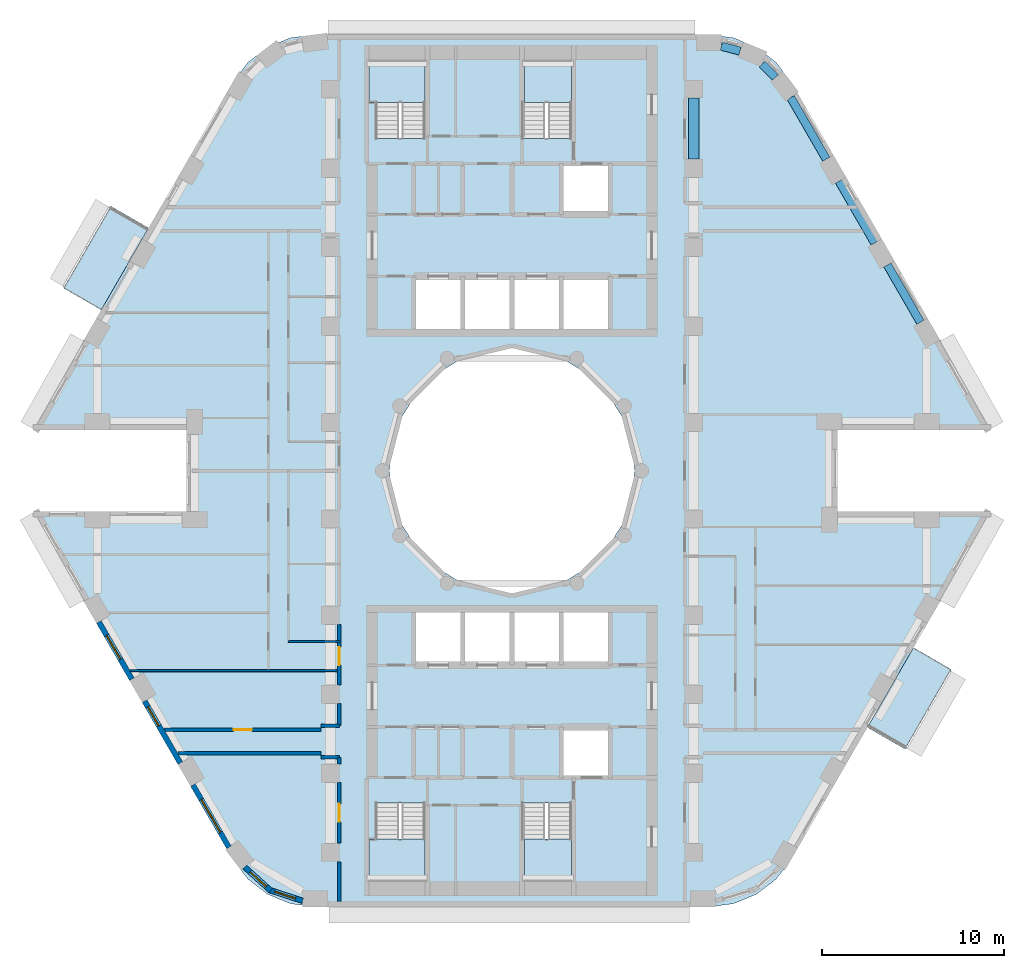
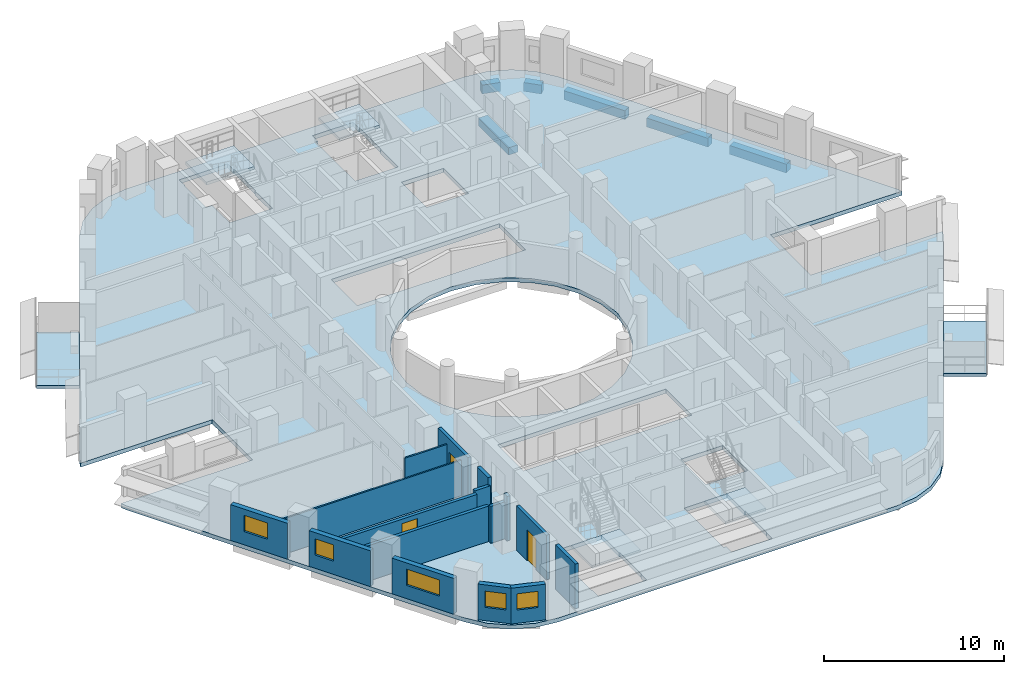
# One storey, part 2 of 14: 16 walls, 7 slabs, 6 beams, 5 windows, 3 doors, 8 openings, 4 elements without a shape of their own.
"""IFC4 building model written with IfcOpenShell, lengths in metres."""

from ifc_helpers import new_model, si_unit, direction, frame, frame_2d, origin, origin_2d, place, context, subcontext, project, spatial, polyline, rectangle, outline, extrude, material, layer, layer_set, material_profile, profile_set, type_object, element, fill, aggregate, save


model = new_model("IFC4")

# Units and contexts
model_context = context("Model", 3, precision=1e-05, world=origin(), true_north=direction((0.0, 1.0)))
body_context = subcontext(model_context, "Body", "Model", "MODEL_VIEW")
ifc_project = project(units=[si_unit("LENGTHUNIT", "METRE"), si_unit("AREAUNIT", "SQUARE_METRE"), si_unit("VOLUMEUNIT", "CUBIC_METRE"), si_unit("PLANEANGLEUNIT", "RADIAN"), si_unit("MASSUNIT", "GRAM", prefix="KILO")], contexts=[model_context])

# Site, building, storey
site_placement = place(None, origin())
site = spatial("IfcSite", under=ifc_project, at=site_placement, CompositionType="ELEMENT")
building_placement = place(site_placement, origin())
building = spatial("IfcBuilding", under=site, at=building_placement, Name="Nakaniwa Court", CompositionType="ELEMENT")
storey_placement = place(building_placement, frame((0.0, 0.0, 107.39990234375)))
storey = spatial("IfcBuildingStorey", under=building, at=storey_placement, Name="L28", CompositionType="ELEMENT", Elevation=107.39990234375)

# Beams
ifc_material_1 = material(Name="Concrete C80/100", Category="concrete")
ifc_material_profile_1 = material_profile(ifc_material_1, rectangle(XDim=0.449951171875, YDim=0.60009765625, at=origin_2d()), Name="Concrete C80/100 RC 450x600 spandrel beam")
ifc_profile_set_1 = profile_set([ifc_material_profile_1], Name="Concrete C80/100")
beam_type_1 = type_object("IfcBeamType", Name="Concrete C80/100 RC 450x600 spandrel beam", PredefinedType="BEAM", material=ifc_profile_set_1)
beam_1_placement = place(storey_placement, frame((102.472900390625, 88.17578125, -0.574951171875), z_axis=(-0.499988394233, 0.866032104273, 0.0), x_axis=(-0.866032104273, -0.499988394233, 0.0)))
element("IfcBeam", 1, at=beam_1_placement, inside=storey, type_object=beam_type_1, Name="SPANDREL BEAM", PredefinedType="BEAM", context=body_context, shape_type="SweptSolid", body=[
    extrude(rectangle(XDim=0.449951171875, YDim=0.60009765625, at=origin_2d()), origin(), (0.0, 0.0, 1.0), 3.62890625),
])
beam_2_placement = place(storey_placement, frame((99.95849609375, 92.531005859375, -0.574951171875), z_axis=(-0.49999161165, 0.866030246746, 0.0), x_axis=(-0.866030246746, -0.49999161165, 0.0)))
element("IfcBeam", 2, at=beam_2_placement, inside=storey, type_object=beam_type_1, Name="SPANDREL BEAM", PredefinedType="BEAM", context=body_context, shape_type="SweptSolid", body=[
    extrude(rectangle(XDim=0.449951171875, YDim=0.60009765625, at=origin_2d()), origin(), (0.0, 0.0, 1.0), 3.92578125),
])
beam_3_placement = place(storey_placement, frame((97.29541015625, 97.143310546875, -0.574951171875), z_axis=(-0.499997407846, 0.86602690036, 0.0), x_axis=(-0.86602690036, -0.499997407846, 0.0)))
element("IfcBeam", 3, at=beam_3_placement, inside=storey, type_object=beam_type_1, Name="SPANDREL BEAM", PredefinedType="BEAM", context=body_context, shape_type="SweptSolid", body=[
    extrude(rectangle(XDim=0.449951171875, YDim=0.60009765625, at=origin_2d()), origin(), (0.0, 0.0, 1.0), 3.919921875),
])
beam_4_placement = place(storey_placement, frame((94.484130859375, 101.6494140625, -0.574951171875), z_axis=(-0.705911336947, 0.7083002078, 0.0), x_axis=(-0.7083002078, -0.705911336947, 0.0)))
element("IfcBeam", 4, at=beam_4_placement, inside=storey, type_object=beam_type_1, Name="SPANDREL BEAM", PredefinedType="BEAM", context=body_context, shape_type="SweptSolid", body=[
    extrude(rectangle(XDim=0.449951171875, YDim=0.60009765625, at=origin_2d()), origin(), (0.0, 0.0, 1.0), 1.02197265625),
])
beam_5_placement = place(storey_placement, frame((92.544921875, 103.091796875, -0.574951171875), z_axis=(-0.966315487466, 0.257360406209, 0.0), x_axis=(-0.257360406209, -0.966315487466, 0.0)))
element("IfcBeam", 5, at=beam_5_placement, inside=storey, type_object=beam_type_1, Name="SPANDREL BEAM", PredefinedType="BEAM", context=body_context, shape_type="SweptSolid", body=[
    extrude(rectangle(XDim=0.449951171875, YDim=0.60009765625, at=origin_2d()), origin(), (0.0, 0.0, 1.0), 1.055908203125),
])
ifc_material_profile_2 = material_profile(ifc_material_1, rectangle(XDim=0.60009765625, YDim=0.5, at=origin_2d()), Name="Concrete C80/100 RC 600x500 ring beam")
ifc_profile_set_2 = profile_set([ifc_material_profile_2], Name="Concrete C80/100")
beam_type_2 = type_object("IfcBeamType", Name="Concrete C80/100 RC 600x500 ring beam", PredefinedType="BEAM", material=ifc_profile_set_2)
beam_6_placement = place(storey_placement, frame((90.0, 97.14990234375, -0.52490234375), z_axis=(0.0, 1.0, 0.0), x_axis=(-1.0, 0.0, 0.0)))
element("IfcBeam", 6, at=beam_6_placement, inside=storey, type_object=beam_type_2, Name="RING BEAM", PredefinedType="BEAM", context=body_context, shape_type="SweptSolid", body=[
    extrude(rectangle(XDim=0.60009765625, YDim=0.5, at=origin_2d()), origin(), (0.0, 0.0, 1.0), 3.35009765625),
])

# Slabs
ifc_material_2 = material(Name="Charcoal ceramic paver")
ifc_layer_1 = layer(ifc_material_2, 0.02, Name="Ceramic paver")
ifc_material_3 = material(Name="Cement sand screed")
ifc_layer_2 = layer(ifc_material_3, 0.03, Name="Falls screed")
ifc_material_4 = material(Name="Concrete C40/50", Category="concrete")
ifc_layer_3 = layer(ifc_material_4, 0.15, Name="Balcony slab")
ifc_layer_set_1 = layer_set([ifc_layer_1, ifc_layer_2, ifc_layer_3], Name="Concrete C40/50 balcony slab with ceramic paver finish")
slab_type_1 = type_object("IfcSlabType", Name="Balcony slab 200", PredefinedType="FLOOR", material=ifc_layer_set_1)
slab_1_placement = place(storey_placement, frame((0.0, 0.0, -0.25)))
element("IfcSlab", 7, at=slab_1_placement, inside=storey, type_object=slab_type_1, Name="L28 balcony 01", PredefinedType="FLOOR", context=body_context, shape_type="SweptSolid", body=[
    extrude(outline(polyline([(60.00048828125, 93.360107421875), (57.398193359375, 88.852783203125), (55.31982421875, 90.052734375), (57.922119140625, 94.56005859375), (60.00048828125, 93.360107421875)])), origin(), (0.0, 0.0, 1.0), 0.2001953125),
])
slab_2_placement = place(storey_placement, frame((0.0, 0.0, -0.25)))
element("IfcSlab", 8, at=slab_2_placement, inside=storey, type_object=slab_type_1, Name="L28 balcony 02", PredefinedType="FLOOR", context=body_context, shape_type="SweptSolid", body=[
    extrude(outline(polyline([(99.558349609375, 65.875732421875), (102.0927734375, 70.265869140625), (104.171142578125, 69.06591796875), (101.63671875, 64.67578125), (99.558349609375, 65.875732421875)])), origin(), (0.0, 0.0, 1.0), 0.2001953125),
])
ifc_layer_4 = layer(ifc_material_1, 0.27490234375)
ifc_layer_set_2 = layer_set([ifc_layer_4], Name="Concrete C80/100")
slab_type_2 = type_object("IfcSlabType", Name="Concrete C80/100 post tensioned floor slab 275", PredefinedType="FLOOR", material=ifc_layer_set_2)
slab_3_placement = place(storey_placement, frame((0.0, 0.0, -0.27490234375)))
element("IfcSlab", 9, at=slab_3_placement, inside=storey, type_object=slab_type_2, Name="FLOOR SLAB", PredefinedType="FLOOR", context=body_context, shape_type="SweptSolid", body=[
    extrude(outline(polyline([(97.908447265625, 82.25), (106.356689453125, 82.25), (106.211669921875, 82.60009765625), (95.357421875, 101.39990234375), (94.531005859375, 102.47705078125), (93.4541015625, 103.30322265625), (92.199951171875, 103.82275390625), (90.854248046875, 104.0), (69.145751953125, 104.0), (67.800048828125, 103.82275390625), (66.5458984375, 103.30322265625), (65.468994140625, 102.47705078125), (64.642578125, 101.39990234375), (53.788330078125, 82.60009765625), (53.643310546875, 82.25), (62.091552734375, 82.25), (62.091552734375, 77.75), (53.643310546875, 77.75), (53.788330078125, 77.39990234375), (64.642578125, 58.60009765625), (65.468994140625, 57.52294921875), (66.5458984375, 56.69677734375), (67.800048828125, 56.17724609375), (69.145751953125, 56.0), (90.854248046875, 56.0), (92.199951171875, 56.17724609375), (93.4541015625, 56.69677734375), (94.531005859375, 57.52294921875), (95.357421875, 58.60009765625), (106.211669921875, 77.39990234375), (106.356689453125, 77.75), (97.908447265625, 77.75), (97.908447265625, 82.25)]), holes=[polyline([(81.501953125, 86.580810546875), (80.0, 86.75), (78.498046875, 86.580810546875), (77.0712890625, 86.08154296875), (75.79150390625, 85.27734375), (74.72265625, 84.20849609375), (73.91845703125, 82.9287109375), (73.419189453125, 81.501953125), (73.25, 80.0), (73.419189453125, 78.498046875), (73.91845703125, 77.0712890625), (74.72265625, 75.79150390625), (75.79150390625, 74.72265625), (77.0712890625, 73.91845703125), (78.498046875, 73.419189453125), (80.0, 73.25), (81.501953125, 73.419189453125), (82.9287109375, 73.91845703125), (84.20849609375, 74.72265625), (85.27734375, 75.79150390625), (86.08154296875, 77.0712890625), (86.580810546875, 78.498046875), (86.75, 80.0), (86.580810546875, 81.501953125), (86.08154296875, 82.9287109375), (85.27734375, 84.20849609375), (84.20849609375, 85.27734375), (82.9287109375, 86.08154296875), (81.501953125, 86.580810546875)]), polyline([(75.264892578125, 57.360107421875), (75.264892578125, 59.764892578125), (75.22509765625, 59.764892578125), (75.22509765625, 61.7099609375), (72.47509765625, 61.7099609375), (72.47509765625, 59.764892578125), (72.0849609375, 59.764892578125), (72.0849609375, 57.360107421875), (72.125, 57.360107421875), (72.125, 56.72509765625), (75.22509765625, 56.72509765625), (75.22509765625, 57.324951171875), (75.22509765625, 57.360107421875), (75.264892578125, 57.360107421875)]), polyline([(80.0, 69.300048828125), (82.699951171875, 69.300048828125), (85.39990234375, 69.300048828125), (85.39990234375, 72.199951171875), (82.699951171875, 72.199951171875), (80.0, 72.199951171875), (77.300048828125, 72.199951171875), (74.60009765625, 72.199951171875), (74.60009765625, 69.300048828125), (77.300048828125, 69.300048828125), (80.0, 69.300048828125)]), polyline([(80.0, 87.800048828125), (82.699951171875, 87.800048828125), (85.39990234375, 87.800048828125), (85.39990234375, 90.699951171875), (82.699951171875, 90.699951171875), (80.0, 90.699951171875), (77.300048828125, 90.699951171875), (74.60009765625, 90.699951171875), (74.60009765625, 87.800048828125), (77.300048828125, 87.800048828125), (80.0, 87.800048828125)]), polyline([(75.264892578125, 100.235107421875), (75.264892578125, 102.639892578125), (75.22509765625, 102.639892578125), (75.22509765625, 102.675048828125), (75.22509765625, 103.27490234375), (72.125, 103.27490234375), (72.125, 102.639892578125), (72.0849609375, 102.639892578125), (72.0849609375, 100.235107421875), (72.47509765625, 100.235107421875), (72.47509765625, 98.2900390625), (75.22509765625, 98.2900390625), (75.22509765625, 100.235107421875), (75.264892578125, 100.235107421875)]), polyline([(83.27490234375, 61.7099609375), (80.52490234375, 61.7099609375), (80.52490234375, 57.324951171875), (80.675048828125, 57.324951171875), (80.675048828125, 56.72509765625), (83.27490234375, 56.72509765625), (83.27490234375, 57.324951171875), (83.27490234375, 57.360107421875), (83.31494140625, 57.360107421875), (83.31494140625, 59.764892578125), (83.27490234375, 59.764892578125), (83.27490234375, 61.7099609375)]), polyline([(85.39990234375, 65.89990234375), (82.699951171875, 65.89990234375), (82.699951171875, 63.10009765625), (85.39990234375, 63.10009765625), (85.39990234375, 65.89990234375)]), polyline([(85.39990234375, 96.89990234375), (82.699951171875, 96.89990234375), (82.699951171875, 94.10009765625), (85.39990234375, 94.10009765625), (85.39990234375, 96.89990234375)]), polyline([(83.27490234375, 100.235107421875), (83.31494140625, 100.235107421875), (83.31494140625, 102.639892578125), (83.27490234375, 102.639892578125), (83.27490234375, 102.675048828125), (83.27490234375, 103.27490234375), (80.675048828125, 103.27490234375), (80.675048828125, 102.675048828125), (80.52490234375, 102.675048828125), (80.52490234375, 98.2900390625), (83.27490234375, 98.2900390625), (83.27490234375, 100.235107421875)])]), origin(), (0.0, 0.0, 1.0), 0.27490234375),
])

# Stair, slab
stair_type = type_object("IfcStairType", Name="Dog leg stair 1300 wide 18 risers", PredefinedType="HALF_TURN_STAIR", material=ifc_material_1)
stair_1_placement = place(storey_placement, origin())
stair_1 = element("IfcStair", 10, at=stair_1_placement, inside=storey, type_object=stair_type, Name="L28 Stair ST1", PredefinedType="HALF_TURN_STAIR")
ifc_layer_5 = layer(ifc_material_1, 0.199951171875)
ifc_layer_set_3 = layer_set([ifc_layer_5], Name="Concrete C80/100")
slab_type_3 = type_object("IfcSlabType", Name="Stair landing concrete", PredefinedType="LANDING", material=ifc_layer_set_3)
slab_4_placement = place(storey_placement, frame((0.0, 0.0, 1.4501953125)))
slab_4 = element("IfcSlab", 11, at=slab_4_placement, type_object=slab_type_3, Name="ST1 landing 1", PredefinedType="LANDING", context=body_context, shape_type="SweptSolid", body=[
    extrude(outline(polyline([(75.22509765625, 100.27490234375), (75.22509765625, 102.60009765625), (72.125, 102.60009765625), (72.125, 100.27490234375), (75.22509765625, 100.27490234375)])), origin(), (0.0, 0.0, 1.0), 0.199951171875),
])
aggregate(stair_1, [slab_4])

stair_2_placement = place(storey_placement, origin())
stair_2 = element("IfcStair", 12, at=stair_2_placement, inside=storey, type_object=stair_type, Name="L28 Stair ST2", PredefinedType="HALF_TURN_STAIR")
slab_5_placement = place(storey_placement, frame((0.0, 0.0, 1.4501953125)))
slab_5 = element("IfcSlab", 13, at=slab_5_placement, type_object=slab_type_3, Name="ST2 landing 1", PredefinedType="LANDING", context=body_context, shape_type="SweptSolid", body=[
    extrude(outline(polyline([(83.27490234375, 100.27490234375), (83.27490234375, 102.60009765625), (80.675048828125, 102.60009765625), (80.675048828125, 100.27490234375), (83.27490234375, 100.27490234375)])), origin(), (0.0, 0.0, 1.0), 0.199951171875),
])
aggregate(stair_2, [slab_5])

stair_3_placement = place(storey_placement, origin())
stair_3 = element("IfcStair", 14, at=stair_3_placement, inside=storey, type_object=stair_type, Name="L28 Stair ST3", PredefinedType="HALF_TURN_STAIR")
slab_6_placement = place(storey_placement, frame((0.0, 0.0, 1.4501953125)))
slab_6 = element("IfcSlab", 15, at=slab_6_placement, type_object=slab_type_3, Name="ST3 landing 1", PredefinedType="LANDING", context=body_context, shape_type="SweptSolid", body=[
    extrude(outline(polyline([(75.22509765625, 57.39990234375), (75.22509765625, 59.72509765625), (72.125, 59.72509765625), (72.125, 57.39990234375), (75.22509765625, 57.39990234375)])), origin(), (0.0, 0.0, 1.0), 0.199951171875),
])
aggregate(stair_3, [slab_6])

stair_4_placement = place(storey_placement, origin())
stair_4 = element("IfcStair", 16, at=stair_4_placement, inside=storey, type_object=stair_type, Name="L28 Stair ST4", PredefinedType="HALF_TURN_STAIR")
slab_7_placement = place(storey_placement, frame((0.0, 0.0, 1.4501953125)))
slab_7 = element("IfcSlab", 17, at=slab_7_placement, type_object=slab_type_3, Name="ST4 landing 1", PredefinedType="LANDING", context=body_context, shape_type="SweptSolid", body=[
    extrude(outline(polyline([(83.27490234375, 57.39990234375), (83.27490234375, 59.72509765625), (80.675048828125, 59.72509765625), (80.675048828125, 57.39990234375), (83.27490234375, 57.39990234375)])), origin(), (0.0, 0.0, 1.0), 0.199951171875),
])
aggregate(stair_4, [slab_7])

# Walls
ifc_material_5 = material(Name="Acoustic double stud partition")
ifc_layer_6 = layer(ifc_material_5, 0.199951171875)
ifc_layer_set_4 = layer_set([ifc_layer_6], Name="Acoustic double stud partition")
wall_type_1 = type_object("IfcWallType", Name="Acoustic double stud partition 200", PredefinedType="PARTITIONING", material=ifc_layer_set_4)
wall_1_placement = place(storey_placement, frame((61.611328125, 64.449951171875, 0.0), z_axis=(0.0, 0.0, 1.0), x_axis=(1.0, 0.0, 0.0)))
element("IfcWall", 18, at=wall_1_placement, inside=storey, type_object=wall_type_1, Name="Partition PW-089", PredefinedType="PARTITIONING", context=body_context, shape_type="SweptSolid", body=[
    extrude(rectangle(XDim=7.888671875, YDim=0.199951171875, at=frame_2d((3.9443359375, 0.0))), origin(), (0.0, 0.0, 1.0), 2.405029296875),
])
for number, where, z_axis, x_axis, name in (
    (19, (69.5, 64.22509765625, 0.0), (0.0, 0.0, 1.0), (1.0, 0.0, 0.0), "Partition PW-091"),
    (20, (69.5, 65.97509765625, 0.0), (0.0, 0.0, 1.0), (1.0, 0.0, 0.0), "Partition PW-093"),
):
    element("IfcWall", number, at=place(storey_placement, frame(where, z_axis=z_axis, x_axis=x_axis)), inside=storey, type_object=wall_type_1, Name=name, PredefinedType="PARTITIONING", context=body_context, shape_type="SweptSolid", body=[
        extrude(rectangle(XDim=1.0, YDim=0.199951171875, at=frame_2d((0.5, 0.0))), origin(), (0.0, 0.0, 1.0), 2.505126953125),
    ])

# Wall, opening, door
wall_2_placement = place(storey_placement, frame((60.86083984375, 65.75, 0.0), z_axis=(0.0, 0.0, 1.0), x_axis=(1.0, 0.0, 0.0)))
wall_2 = element("IfcWall", 21, at=wall_2_placement, inside=storey, type_object=wall_type_1, Name="Partition PW-095", PredefinedType="PARTITIONING", context=body_context, shape_type="SweptSolid", body=[
    extrude(rectangle(XDim=8.63916015625, YDim=0.199951171875, at=frame_2d((4.319580078125, 0.0))), origin(), (0.0, 0.0, 1.0), 2.405029296875),
])
opening_1_placement = place(wall_2_placement, frame((3.820068359375, 0.0, 0.0)))
opening_1 = element("IfcOpeningElement", 22, at=opening_1_placement, cuts=wall_2, Name="Opening D-02-07", PredefinedType="OPENING", context=body_context, shape_type="SweptSolid", body=[
    extrude(rectangle(XDim=1.0, YDim=2.10009765625, at=frame_2d((0.5, 1.050048828125))), frame((0.0, 0.10986328125, 0.0), z_axis=(0.0, -1.0, 0.0), x_axis=(1.0, 0.0, 0.0)), (0.0, 0.0, 1.0), 0.219970703125),
])
ifc_material_6 = material(Name="Solid core timber door set, black veneer", Category="wood")
door_type_1 = type_object("IfcDoorType", Name="Internal door 1000", OperationType="NOTDEFINED", PredefinedType="DOOR", material=ifc_material_6)
door_1_placement = place(opening_1_placement, origin())
door_1 = element("IfcDoor", 23, at=door_1_placement, inside=storey, type_object=door_type_1, Name="Door D-02-07 L28-053", OperationType="SINGLE_SWING_RIGHT", OverallHeight=2.10009765625, OverallWidth=1.0, PredefinedType="DOOR", context=body_context, shape_type="SweptSolid", body=[
    extrude(rectangle(XDim=1.0, YDim=2.10009765625, at=frame_2d((0.5, 1.050048828125))), frame((0.0, 0.02490234375, 0.0), z_axis=(0.0, -1.0, 0.0), x_axis=(1.0, 0.0, 0.0)), (0.0, 0.0, 1.0), 0.050048828125),
])
fill(opening_1, door_1)

# Wall
wall_3_placement = place(storey_placement, frame((70.5, 56.300048828125, 0.0), z_axis=(0.0, 0.0, 1.0), x_axis=(0.0, 1.0, 0.0)))
element("IfcWall", 24, at=wall_3_placement, inside=storey, type_object=wall_type_1, Name="Partition PW-097", PredefinedType="PARTITIONING", context=body_context, shape_type="SweptSolid", body=[
    extrude(rectangle(XDim=2.182861328125, YDim=0.199951171875, at=frame_2d((1.09130859375, 0.0))), origin(), (0.0, 0.0, 1.0), 3.025146484375),
])

# Wall, opening, door
wall_4_placement = place(storey_placement, frame((70.5, 59.51708984375, 0.0), z_axis=(0.0, 0.0, 1.0), x_axis=(0.0, 1.0, 0.0)))
wall_4 = element("IfcWall", 25, at=wall_4_placement, inside=storey, type_object=wall_type_1, Name="Partition PW-098", PredefinedType="PARTITIONING", context=body_context, shape_type="SweptSolid", body=[
    extrude(rectangle(XDim=3.31591796875, YDim=0.199951171875, at=frame_2d((1.657958984375, 0.0))), origin(), (0.0, 0.0, 1.0), 3.025146484375),
])
opening_2_placement = place(wall_4_placement, frame((1.157958984375, 0.0, 0.0)))
opening_2 = element("IfcOpeningElement", 26, at=opening_2_placement, cuts=wall_4, Name="Opening D-02-05", PredefinedType="OPENING", context=body_context, shape_type="SweptSolid", body=[
    extrude(rectangle(XDim=1.0, YDim=2.10009765625, at=frame_2d((0.5, 1.050048828125))), frame((0.0, 0.10986328125, 0.0), z_axis=(0.0, -1.0, 0.0), x_axis=(1.0, 0.0, 0.0)), (0.0, 0.0, 1.0), 0.219970703125),
])
door_2_placement = place(opening_2_placement, origin())
door_2 = element("IfcDoor", 27, at=door_2_placement, inside=storey, type_object=door_type_1, Name="Door D-02-05 L28-037", OperationType="SINGLE_SWING_RIGHT", OverallHeight=2.10009765625, OverallWidth=1.0, PredefinedType="DOOR", context=body_context, shape_type="SweptSolid", body=[
    extrude(rectangle(XDim=1.0, YDim=2.10009765625, at=frame_2d((0.5, 1.050048828125))), frame((0.0, 0.02490234375, 0.0), z_axis=(0.0, -1.0, 0.0), x_axis=(1.0, 0.0, 0.0)), (0.0, 0.0, 1.0), 0.050048828125),
])
fill(opening_2, door_2)

# Walls
wall_5_placement = place(storey_placement, frame((70.5, 63.866943359375, 0.0), z_axis=(0.0, 0.0, 1.0), x_axis=(0.0, 1.0, 0.0)))
element("IfcWall", 28, at=wall_5_placement, inside=storey, type_object=wall_type_1, Name="Partition PW-099", PredefinedType="PARTITIONING", context=body_context, shape_type="SweptSolid", body=[
    extrude(rectangle(XDim=0.361083984375, YDim=0.199951171875, at=frame_2d((0.1806640625, 0.0))), origin(), (0.0, 0.0, 1.0), 3.025146484375),
])
wall_6_placement = place(storey_placement, frame((70.5, 65.971923828125, 0.0), z_axis=(0.0, 0.0, 1.0), x_axis=(0.0, 1.0, 0.0)))
element("IfcWall", 29, at=wall_6_placement, inside=storey, type_object=wall_type_1, Name="Partition PW-100", PredefinedType="PARTITIONING", context=body_context, shape_type="SweptSolid", body=[
    extrude(rectangle(XDim=1.211181640625, YDim=0.199951171875, at=frame_2d((0.60546875, 0.0))), origin(), (0.0, 0.0, 1.0), 3.025146484375),
])

# Wall, opening, door
wall_7_placement = place(storey_placement, frame((70.5, 68.217041015625, 0.0), z_axis=(0.0, 0.0, 1.0), x_axis=(0.0, 1.0, 0.0)))
wall_7 = element("IfcWall", 30, at=wall_7_placement, inside=storey, type_object=wall_type_1, Name="Partition PW-101", PredefinedType="PARTITIONING", context=body_context, shape_type="SweptSolid", body=[
    extrude(rectangle(XDim=3.31591796875, YDim=0.199951171875, at=frame_2d((1.657958984375, 0.0))), origin(), (0.0, 0.0, 1.0), 3.025146484375),
])
opening_3_placement = place(wall_7_placement, frame((1.0830078125, 0.0, 0.0)))
opening_3 = element("IfcOpeningElement", 31, at=opening_3_placement, cuts=wall_7, Name="Opening D-01-02", PredefinedType="OPENING", context=body_context, shape_type="SweptSolid", body=[
    extrude(rectangle(XDim=1.0, YDim=2.10009765625, at=frame_2d((0.5, 1.050048828125))), frame((0.0, 0.10986328125, 0.0), z_axis=(0.0, -1.0, 0.0), x_axis=(1.0, 0.0, 0.0)), (0.0, 0.0, 1.0), 0.219970703125),
])
door_type_2 = type_object("IfcDoorType", Name="Flat entrance door 1000", OperationType="NOTDEFINED", PredefinedType="DOOR", material=ifc_material_6)
door_3_placement = place(opening_3_placement, origin())
door_3 = element("IfcDoor", 32, at=door_3_placement, inside=storey, type_object=door_type_2, Name="Door D-01-02 L28-038", OperationType="SINGLE_SWING_LEFT", OverallHeight=2.10009765625, OverallWidth=1.0, PredefinedType="DOOR", context=body_context, shape_type="SweptSolid", body=[
    extrude(rectangle(XDim=1.0, YDim=2.10009765625, at=frame_2d((0.5, 1.050048828125))), frame((0.0, 0.02490234375, 0.0), z_axis=(0.0, -1.0, 0.0), x_axis=(1.0, 0.0, 0.0)), (0.0, 0.0, 1.0), 0.050048828125),
])
fill(opening_3, door_3)

# Wall, opening, window
ifc_material_7 = material(Name="Charcoal ceramic cladding")
ifc_layer_7 = layer(ifc_material_7, 0.02, Name="Ceramic cladding")
ifc_material_8 = material(Name="Ventilated air cavity")
ifc_layer_8 = layer(ifc_material_8, 0.04, ventilated=True, Name="Ventilated cavity")
ifc_material_9 = material(Name="Mineral wool insulation")
ifc_layer_9 = layer(ifc_material_9, 0.1, Name="Insulation")
ifc_material_10 = material(Name="Cement bonded sheathing board")
ifc_layer_10 = layer(ifc_material_10, 0.012, Name="Sheathing")
ifc_material_11 = material(Name="Cold-formed galvanised stud frame with mineral wool infill")
ifc_layer_11 = layer(ifc_material_11, 0.1, Name="Stud frame")
ifc_material_12 = material(Name="Fire-rated gypsum plasterboard lining")
ifc_layer_12 = layer(ifc_material_12, 0.028, Name="Lining")
ifc_layer_set_5 = layer_set([ifc_layer_7, ifc_layer_8, ifc_layer_9, ifc_layer_10, ifc_layer_11, ifc_layer_12], Name="Charcoal ceramic faced external wall system")
wall_type_2 = type_object("IfcWallType", Name="Black ceramic faced external wall 300", PredefinedType="SOLIDWALL", material=ifc_layer_set_5)
wall_8_placement = place(storey_placement, frame((57.265380859375, 71.677490234375, 0.0), z_axis=(0.0, 0.0, 1.0), x_axis=(0.500009139881, -0.866020126807, 0.0)))
wall_8 = element("IfcWall", 33, at=wall_8_placement, inside=storey, type_object=wall_type_2, Name="L28 external wall 21", PredefinedType="SOLIDWALL", context=body_context, shape_type="SweptSolid", body=[
    extrude(rectangle(XDim=3.63671875, YDim=0.300048828125, at=frame_2d((1.818359375, 0.0))), origin(), (0.0, 0.0, 1.0), 2.425048828125),
])
opening_4_placement = place(wall_8_placement, frame((0.85693359375, 0.0, 0.89990234375)))
opening_4 = element("IfcOpeningElement", 34, at=opening_4_placement, cuts=wall_8, Name="Opening W5.19", PredefinedType="OPENING", context=body_context, shape_type="SweptSolid", body=[
    extrude(rectangle(XDim=1.5, YDim=1.10009765625, at=frame_2d((0.75, 0.550048828125))), frame((0.0, 0.159912109375, 0.0), z_axis=(0.0, -1.0, 0.0), x_axis=(1.0, 0.0, 0.0)), (0.0, 0.0, 1.0), 0.320068359375),
])
ifc_material_13 = material(Name="Black anodised aluminium frame with dark low-E laminated double glazing", Category="aluminium")
window_type_1 = type_object("IfcWindowType", Name="Dark glass window 1500x1100 sill 900", PartitioningType="SINGLE_PANEL", PredefinedType="WINDOW", material=ifc_material_13)
window_1_placement = place(opening_4_placement, origin())
window_1 = element("IfcWindow", 35, at=window_1_placement, inside=storey, type_object=window_type_1, Name="L28 bedroom window 21-0", OverallHeight=1.10009765625, OverallWidth=1.5, PartitioningType="SINGLE_PANEL", PredefinedType="WINDOW", context=body_context, shape_type="SweptSolid", body=[
    extrude(rectangle(XDim=1.5, YDim=1.10009765625, at=frame_2d((0.75, 0.550048828125))), frame((0.0, 0.030029296875, 0.0), z_axis=(0.0, -1.0, 0.0), x_axis=(1.0, 0.0, 0.0)), (0.0, 0.0, 1.0), 0.06005859375),
])
fill(opening_4, window_1)

wall_9_placement = place(storey_placement, frame((59.77978515625, 67.322509765625, 0.0), z_axis=(0.0, 0.0, 1.0), x_axis=(0.499957037901, -0.866050206543, 0.0)))
wall_9 = element("IfcWall", 36, at=wall_9_placement, inside=storey, type_object=wall_type_2, Name="L28 external wall 22", PredefinedType="SOLIDWALL", context=body_context, shape_type="SweptSolid", body=[
    extrude(rectangle(XDim=3.933837890625, YDim=0.300048828125, at=frame_2d((1.966796875, 0.0))), origin(), (0.0, 0.0, 1.0), 2.425048828125),
])
opening_5_placement = place(wall_9_placement, frame((0.368896484375, 0.0, 0.89990234375)))
opening_5 = element("IfcOpeningElement", 37, at=opening_5_placement, cuts=wall_9, Name="Opening W6.20", PredefinedType="OPENING", context=body_context, shape_type="SweptSolid", body=[
    extrude(rectangle(XDim=1.199951171875, YDim=1.10009765625, at=frame_2d((0.60009765625, 0.550048828125))), frame((0.0, 0.159912109375, 0.0), z_axis=(0.0, -1.0, 0.0), x_axis=(1.0, 0.0, 0.0)), (0.0, 0.0, 1.0), 0.320068359375),
])
window_type_2 = type_object("IfcWindowType", Name="Dark glass window 1200x1100 sill 900", PartitioningType="SINGLE_PANEL", PredefinedType="WINDOW", material=ifc_material_13)
window_2_placement = place(opening_5_placement, origin())
window_2 = element("IfcWindow", 38, at=window_2_placement, inside=storey, type_object=window_type_2, Name="L28 habitable room window 22-0", OverallHeight=1.10009765625, OverallWidth=1.199951171875, PartitioningType="SINGLE_PANEL", PredefinedType="WINDOW", context=body_context, shape_type="SweptSolid", body=[
    extrude(rectangle(XDim=1.199951171875, YDim=1.10009765625, at=frame_2d((0.60009765625, 0.550048828125))), frame((0.0, 0.030029296875, 0.0), z_axis=(0.0, -1.0, 0.0), x_axis=(1.0, 0.0, 0.0)), (0.0, 0.0, 1.0), 0.06005859375),
])
fill(opening_5, window_2)

wall_10_placement = place(storey_placement, frame((62.442626953125, 62.710205078125, 0.0), z_axis=(0.0, 0.0, 1.0), x_axis=(0.500043828347, -0.866000097998, 0.0)))
wall_10 = element("IfcWall", 39, at=wall_10_placement, inside=storey, type_object=wall_type_2, Name="L28 external wall 23", PredefinedType="SOLIDWALL", context=body_context, shape_type="SweptSolid", body=[
    extrude(rectangle(XDim=3.967529296875, YDim=0.300048828125, at=frame_2d((1.98388671875, 0.0))), origin(), (0.0, 0.0, 1.0), 2.425048828125),
])
opening_6_placement = place(wall_10_placement, frame((0.92236328125, 0.0, 0.89990234375)))
opening_6 = element("IfcOpeningElement", 40, at=opening_6_placement, cuts=wall_10, Name="Opening W7.21", PredefinedType="OPENING", context=body_context, shape_type="SweptSolid", body=[
    extrude(rectangle(XDim=2.10009765625, YDim=1.10009765625, at=frame_2d((1.050048828125, 0.550048828125))), frame((0.0, 0.159912109375, 0.0), z_axis=(0.0, -1.0, 0.0), x_axis=(1.0, 0.0, 0.0)), (0.0, 0.0, 1.0), 0.320068359375),
])
window_type_3 = type_object("IfcWindowType", Name="Dark glass window 2100x1100 sill 900", PartitioningType="SINGLE_PANEL", PredefinedType="WINDOW", material=ifc_material_13)
window_3_placement = place(opening_6_placement, origin())
window_3 = element("IfcWindow", 41, at=window_3_placement, inside=storey, type_object=window_type_3, Name="L28 habitable room window 23-0", OverallHeight=1.10009765625, OverallWidth=2.10009765625, PartitioningType="SINGLE_PANEL", PredefinedType="WINDOW", context=body_context, shape_type="SweptSolid", body=[
    extrude(rectangle(XDim=2.10009765625, YDim=1.10009765625, at=frame_2d((1.050048828125, 0.550048828125))), frame((0.0, 0.030029296875, 0.0), z_axis=(0.0, -1.0, 0.0), x_axis=(1.0, 0.0, 0.0)), (0.0, 0.0, 1.0), 0.06005859375),
])
fill(opening_6, window_3)

wall_11_placement = place(storey_placement, frame((65.294921875, 58.18603515625, 0.0), z_axis=(0.0, 0.0, 1.0), x_axis=(0.740421367382, -0.672142989791, 0.0)))
wall_11 = element("IfcWall", 42, at=wall_11_placement, inside=storey, type_object=wall_type_2, Name="L28 external wall 24", PredefinedType="SOLIDWALL", context=body_context, shape_type="SweptSolid", body=[
    extrude(rectangle(XDim=1.92724609375, YDim=0.300048828125, at=frame_2d((0.963623046875, 0.0))), origin(), (0.0, 0.0, 1.0), 2.425048828125),
])
opening_7_placement = place(wall_11_placement, frame((0.39111328125, 0.0, 0.89990234375)))
opening_7 = element("IfcOpeningElement", 43, at=opening_7_placement, cuts=wall_11, Name="Opening W6.22", PredefinedType="OPENING", context=body_context, shape_type="SweptSolid", body=[
    extrude(rectangle(XDim=1.199951171875, YDim=1.10009765625, at=frame_2d((0.60009765625, 0.550048828125))), frame((0.0, 0.159912109375, 0.0), z_axis=(0.0, -1.0, 0.0), x_axis=(1.0, 0.0, 0.0)), (0.0, 0.0, 1.0), 0.320068359375),
])
window_4_placement = place(opening_7_placement, origin())
window_4 = element("IfcWindow", 44, at=window_4_placement, inside=storey, type_object=window_type_2, Name="L28 habitable room window 24-0", OverallHeight=1.10009765625, OverallWidth=1.199951171875, PartitioningType="SINGLE_PANEL", PredefinedType="WINDOW", context=body_context, shape_type="SweptSolid", body=[
    extrude(rectangle(XDim=1.199951171875, YDim=1.10009765625, at=frame_2d((0.60009765625, 0.550048828125))), frame((0.0, 0.030029296875, 0.0), z_axis=(0.0, -1.0, 0.0), x_axis=(1.0, 0.0, 0.0)), (0.0, 0.0, 1.0), 0.06005859375),
])
fill(opening_7, window_4)

wall_12_placement = place(storey_placement, frame((66.625, 56.939453125, 0.0), z_axis=(0.0, 0.0, 1.0), x_axis=(0.950777961763, -0.309872985958, 0.0)))
wall_12 = element("IfcWall", 45, at=wall_12_placement, inside=storey, type_object=wall_type_2, Name="L28 external wall 25", PredefinedType="SOLIDWALL", context=body_context, shape_type="SweptSolid", body=[
    extrude(rectangle(XDim=1.949951171875, YDim=0.300048828125, at=frame_2d((0.97509765625, 0.0))), origin(), (0.0, 0.0, 1.0), 2.425048828125),
])
opening_8_placement = place(wall_12_placement, frame((0.334716796875, 0.0, 0.89990234375)))
opening_8 = element("IfcOpeningElement", 46, at=opening_8_placement, cuts=wall_12, Name="Opening W6.23", PredefinedType="OPENING", context=body_context, shape_type="SweptSolid", body=[
    extrude(rectangle(XDim=1.199951171875, YDim=1.10009765625, at=frame_2d((0.60009765625, 0.550048828125))), frame((0.0, 0.159912109375, 0.0), z_axis=(0.0, -1.0, 0.0), x_axis=(1.0, 0.0, 0.0)), (0.0, 0.0, 1.0), 0.320068359375),
])
window_5_placement = place(opening_8_placement, origin())
window_5 = element("IfcWindow", 47, at=window_5_placement, inside=storey, type_object=window_type_2, Name="L28 habitable room window 25-0", OverallHeight=1.10009765625, OverallWidth=1.199951171875, PartitioningType="SINGLE_PANEL", PredefinedType="WINDOW", context=body_context, shape_type="SweptSolid", body=[
    extrude(rectangle(XDim=1.199951171875, YDim=1.10009765625, at=frame_2d((0.60009765625, 0.550048828125))), frame((0.0, 0.030029296875, 0.0), z_axis=(0.0, -1.0, 0.0), x_axis=(1.0, 0.0, 0.0)), (0.0, 0.0, 1.0), 0.06005859375),
])
fill(opening_8, window_5)

# Walls
ifc_material_14 = material(Name="Single stud plasterboard partition")
ifc_layer_13 = layer(ifc_material_14, 0.10009765625)
ifc_layer_set_6 = layer_set([ifc_layer_13], Name="Single stud plasterboard partition")
wall_type_3 = type_object("IfcWallType", Name="Single stud plasterboard partition 100", PredefinedType="PARTITIONING", material=ifc_layer_set_6)
wall_13_placement = place(storey_placement, frame((67.699951171875, 70.60009765625, 0.0), z_axis=(0.0, 0.0, 1.0), x_axis=(1.0, 0.0, 0.0)))
element("IfcWall", 48, at=wall_13_placement, inside=storey, type_object=wall_type_3, Name="Partition PW-118", PredefinedType="PARTITIONING", context=body_context, shape_type="SweptSolid", body=[
    extrude(rectangle(XDim=2.800048828125, YDim=0.10009765625, at=frame_2d((1.39990234375, 0.0))), origin(), (0.0, 0.0, 1.0), 2.505126953125),
])
wall_14_placement = place(storey_placement, frame((58.984619140625, 69.0, 0.0), z_axis=(0.0, 0.0, 1.0), x_axis=(1.0, 0.0, 0.0)))
element("IfcWall", 49, at=wall_14_placement, inside=storey, type_object=wall_type_3, Name="Partition PW-123", PredefinedType="PARTITIONING", context=body_context, shape_type="SweptSolid", body=[
    extrude(rectangle(XDim=11.515380859375, YDim=0.10009765625, at=frame_2d((5.7578125, 0.0))), origin(), (0.0, 0.0, 1.0), 2.405029296875),
])

save(model, "model.ifc")
